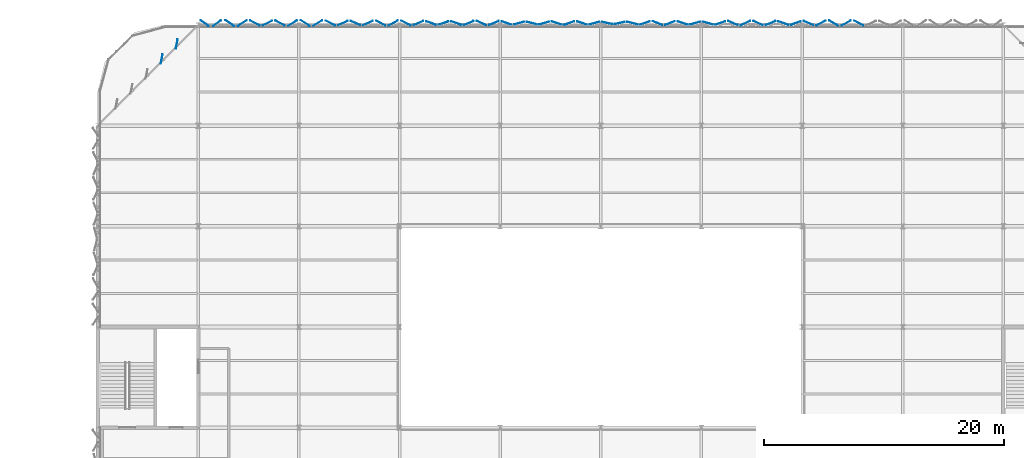
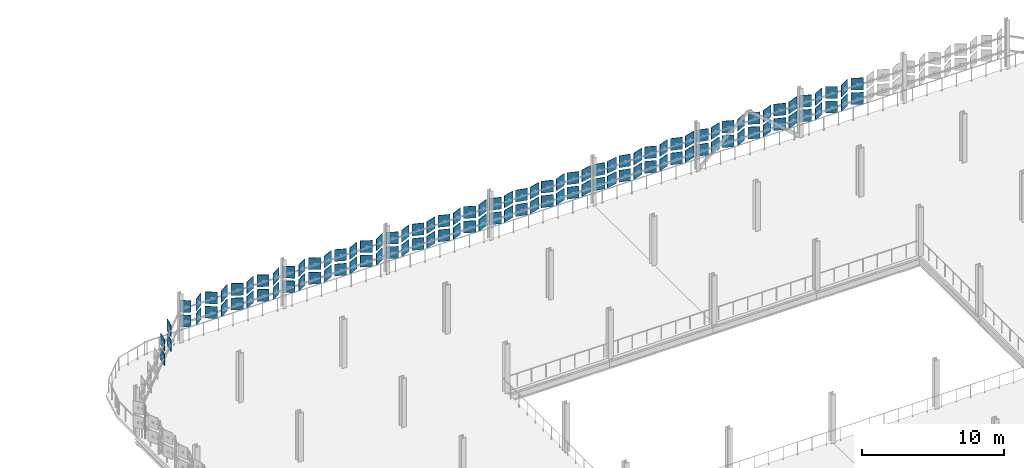
# One storey, part 123 of 163: 110 plates.
"""IFC4 building model written with IfcOpenShell, lengths in metres."""

from ifc_helpers import new_model, si_unit, direction, frame, origin, origin_2d, place, context, subcontext, project, spatial, rectangle, extrude, material, layer, layer_set, type_object, element, save


model = new_model("IFC4")

# Units and contexts
model_context = context("Model", 3, precision=1e-05, world=origin(), true_north=direction((0.0, 1.0)))
body_context = subcontext(model_context, "Body", "Model", "MODEL_VIEW")
ifc_project = project(units=[si_unit("LENGTHUNIT", "METRE"), si_unit("AREAUNIT", "SQUARE_METRE"), si_unit("VOLUMEUNIT", "CUBIC_METRE"), si_unit("PLANEANGLEUNIT", "RADIAN"), si_unit("MASSUNIT", "GRAM", prefix="KILO")], contexts=[model_context])

# Site, building, storey
site_placement = place(None, origin())
site = spatial("IfcSite", under=ifc_project, at=site_placement, CompositionType="ELEMENT")
building_placement = place(site_placement, origin())
building = spatial("IfcBuilding", under=site, at=building_placement, Name="Qalvenar Corner Mobility Hub", CompositionType="ELEMENT")
storey_placement = place(building_placement, frame((0.0, 0.0, 4.800048828125)))
storey = spatial("IfcBuildingStorey", under=building, at=storey_placement, Name="L01", CompositionType="ELEMENT", Elevation=4.800048828125)

# Plates
ifc_material = material(Name="Terracotta-Ochre Anodised Aluminium", Category="masonry")
ifc_layer_1 = layer(ifc_material, 0.035888671875)
ifc_layer_set_1 = layer_set([ifc_layer_1], Name="Terracotta-Ochre Anodised Aluminium")
plate_type_1 = type_object("IfcPlateType", Name="PLT-XC-L1-CRN", PredefinedType="SHEET", material=ifc_layer_set_1)
for number, where, z_axis, x_axis, name in (
    (1, (68.77490234375, 117.760009765625, 0.989990234375), (0.0, 0.0, 1.0), (-0.819152044289, -0.573576436351, 0.0), "Hinged Facade Panel FP-L01-0253"),
    (2, (68.77490234375, 117.760009765625, 2.239990234375), (0.0, 0.0, 1.0), (-0.819152044289, -0.573576436351, 0.0), "Hinged Facade Panel FP-L01-0254"),
    (3, (67.72509765625, 117.760009765625, 0.989990234375), (0.0, 0.0, 1.0), (-0.819152044289, 0.573576436351, 0.0), "Hinged Facade Panel FP-L01-0255"),
    (4, (67.72509765625, 117.760009765625, 2.239990234375), (0.0, 0.0, 1.0), (-0.819152044289, 0.573576436351, 0.0), "Hinged Facade Panel FP-L01-0256"),
    (5, (65.406982421875, 116.033203125, 0.989990234375), (0.0, 0.0, 1.0), (-0.190808995377, -0.981627183448, 0.0), "Corner Hinged Panel FPC-L01-0351"),
    (6, (64.14697265625, 114.773193359375, 0.989990234375), (0.0, 0.0, 1.0), (-0.190808995377, -0.981627183448, 0.0), "Corner Hinged Panel FPC-L01-0352"),
    (7, (65.406982421875, 116.033203125, 2.239990234375), (0.0, 0.0, 1.0), (-0.190808995377, -0.981627183448, 0.0), "Corner Hinged Panel FPC-L01-0356"),
    (8, (64.14697265625, 114.773193359375, 2.239990234375), (0.0, 0.0, 1.0), (-0.190808995377, -0.981627183448, 0.0), "Corner Hinged Panel FPC-L01-0357"),
):
    element("IfcPlate", number, at=place(storey_placement, frame(where, z_axis=z_axis, x_axis=x_axis)), inside=storey, type_object=plate_type_1, Name=name, PredefinedType="SHEET", context=body_context, shape_type="SweptSolid", body=[
        extrude(rectangle(XDim=0.800048828125, YDim=0.035888671875, at=origin_2d()), origin(), (0.0, 0.0, 1.0), 1.02001953125),
    ])
ifc_layer_2 = layer(ifc_material, 0.033935546875)
ifc_layer_set_2 = layer_set([ifc_layer_2], Name="Terracotta-Ochre Anodised Aluminium")
plate_type_2 = type_object("IfcPlateType", Name="PLT-XC-L1-STD", PredefinedType="SHEET", material=ifc_layer_set_2)
for number, where, z_axis, x_axis, name in (
    (9, (122.324951171875, 117.760009765625, 0.989990234375), (0.0, 0.0, 1.0), (-0.892113171267, 0.451812006981, 0.0), "Hinged Facade Panel FP-L01-0151"),
    (10, (122.324951171875, 117.760009765625, 2.239990234375), (0.0, 0.0, 1.0), (-0.892113171267, 0.451812006981, 0.0), "Hinged Facade Panel FP-L01-0152"),
    (11, (121.27490234375, 117.760009765625, 0.989990234375), (0.0, 0.0, 1.0), (-0.870699260309, -0.49181581725, 0.0), "Hinged Facade Panel FP-L01-0153"),
    (12, (121.27490234375, 117.760009765625, 2.239990234375), (0.0, 0.0, 1.0), (-0.870699260309, -0.49181581725, 0.0), "Hinged Facade Panel FP-L01-0154"),
    (13, (120.22509765625, 117.760009765625, 0.989990234375), (0.0, 0.0, 1.0), (-0.867591923867, 0.49727683803, 0.0), "Hinged Facade Panel FP-L01-0155"),
    (14, (120.22509765625, 117.760009765625, 2.239990234375), (0.0, 0.0, 1.0), (-0.867591923867, 0.49727683803, 0.0), "Hinged Facade Panel FP-L01-0156"),
    (15, (119.175048828125, 117.760009765625, 0.989990234375), (0.0, 0.0, 1.0), (-0.889416373291, -0.457097927059, 0.0), "Hinged Facade Panel FP-L01-0157"),
    (16, (119.175048828125, 117.760009765625, 2.239990234375), (0.0, 0.0, 1.0), (-0.889416373291, -0.457097927059, 0.0), "Hinged Facade Panel FP-L01-0158"),
    (17, (118.125, 117.760009765625, 0.989990234375), (0.0, 0.0, 1.0), (-0.919821497322, 0.392337116604, 0.0), "Hinged Facade Panel FP-L01-0159"),
    (18, (118.125, 117.760009765625, 2.239990234375), (0.0, 0.0, 1.0), (-0.919821497322, 0.392337116604, 0.0), "Hinged Facade Panel FP-L01-0160"),
    (19, (117.074951171875, 117.760009765625, 0.989990234375), (0.0, 0.0, 1.0), (-0.938793994893, -0.34447907796, 0.0), "Hinged Facade Panel FP-L01-0161"),
    (20, (117.074951171875, 117.760009765625, 2.239990234375), (0.0, 0.0, 1.0), (-0.938793994893, -0.34447907796, 0.0), "Hinged Facade Panel FP-L01-0162"),
    (21, (116.02490234375, 117.760009765625, 0.989990234375), (0.0, 0.0, 1.0), (-0.938974235021, 0.343987479376, 0.0), "Hinged Facade Panel FP-L01-0163"),
    (22, (116.02490234375, 117.760009765625, 2.239990234375), (0.0, 0.0, 1.0), (-0.938974235021, 0.343987479376, 0.0), "Hinged Facade Panel FP-L01-0164"),
    (23, (114.97509765625, 117.760009765625, 0.989990234375), (0.0, 0.0, 1.0), (-0.923545226472, -0.383489523534, 0.0), "Hinged Facade Panel FP-L01-0165"),
    (24, (114.97509765625, 117.760009765625, 2.239990234375), (0.0, 0.0, 1.0), (-0.923545226472, -0.383489523534, 0.0), "Hinged Facade Panel FP-L01-0166"),
    (25, (113.925048828125, 117.760009765625, 0.989990234375), (0.0, 0.0, 1.0), (-0.90534656459, 0.42467351929, 0.0), "Hinged Facade Panel FP-L01-0167"),
    (26, (113.925048828125, 117.760009765625, 2.239990234375), (0.0, 0.0, 1.0), (-0.90534656459, 0.42467351929, 0.0), "Hinged Facade Panel FP-L01-0168"),
    (27, (112.875, 117.760009765625, 0.989990234375), (0.0, 0.0, 1.0), (-0.903035619536, -0.429565675827, 0.0), "Hinged Facade Panel FP-L01-0169"),
    (28, (112.875, 117.760009765625, 2.239990234375), (0.0, 0.0, 1.0), (-0.903035619536, -0.429565675827, 0.0), "Hinged Facade Panel FP-L01-0170"),
    (29, (111.824951171875, 117.760009765625, 0.989990234375), (0.0, 0.0, 1.0), (-0.92213346383, 0.386871910179, 0.0), "Hinged Facade Panel FP-L01-0171"),
    (30, (111.824951171875, 117.760009765625, 2.239990234375), (0.0, 0.0, 1.0), (-0.92213346383, 0.386871910179, 0.0), "Hinged Facade Panel FP-L01-0172"),
    (31, (110.77490234375, 117.760009765625, 0.989990234375), (0.0, 0.0, 1.0), (-0.947433876991, -0.319951634986, 0.0), "Hinged Facade Panel FP-L01-0173"),
    (32, (110.77490234375, 117.760009765625, 2.239990234375), (0.0, 0.0, 1.0), (-0.947433876991, -0.319951634986, 0.0), "Hinged Facade Panel FP-L01-0174"),
    (33, (109.72509765625, 117.760009765625, 0.989990234375), (0.0, 0.0, 1.0), (-0.962407846499, 0.271608425858, 0.0), "Hinged Facade Panel FP-L01-0175"),
    (34, (109.72509765625, 117.760009765625, 2.239990234375), (0.0, 0.0, 1.0), (-0.962407846499, 0.271608425858, 0.0), "Hinged Facade Panel FP-L01-0176"),
    (35, (108.675048828125, 117.760009765625, 0.989990234375), (0.0, 0.0, 1.0), (-0.962265500742, -0.272112304173, 0.0), "Hinged Facade Panel FP-L01-0177"),
    (36, (108.675048828125, 117.760009765625, 2.239990234375), (0.0, 0.0, 1.0), (-0.962265500742, -0.272112304173, 0.0), "Hinged Facade Panel FP-L01-0178"),
    (37, (107.625, 117.760009765625, 0.989990234375), (0.0, 0.0, 1.0), (-0.949753769132, 0.312998047948, 0.0), "Hinged Facade Panel FP-L01-0179"),
    (38, (107.625, 117.760009765625, 2.239990234375), (0.0, 0.0, 1.0), (-0.949753769132, 0.312998047948, 0.0), "Hinged Facade Panel FP-L01-0180"),
    (39, (106.574951171875, 117.760009765625, 0.989990234375), (0.0, 0.0, 1.0), (-0.934825676396, -0.355106962408, 0.0), "Hinged Facade Panel FP-L01-0181"),
    (40, (106.574951171875, 117.760009765625, 2.239990234375), (0.0, 0.0, 1.0), (-0.934825676396, -0.355106962408, 0.0), "Hinged Facade Panel FP-L01-0182"),
    (41, (105.52490234375, 117.760009765625, 0.989990234375), (0.0, 0.0, 1.0), (-0.933267336023, 0.359182515599, 0.0), "Hinged Facade Panel FP-L01-0183"),
    (42, (105.52490234375, 117.760009765625, 2.239990234375), (0.0, 0.0, 1.0), (-0.933267336023, 0.359182515599, 0.0), "Hinged Facade Panel FP-L01-0184"),
    (43, (104.47509765625, 117.760009765625, 0.989990234375), (0.0, 0.0, 1.0), (-0.949260941439, -0.314489530921, 0.0), "Hinged Facade Panel FP-L01-0185"),
    (44, (104.47509765625, 117.760009765625, 2.239990234375), (0.0, 0.0, 1.0), (-0.949260941439, -0.314489530921, 0.0), "Hinged Facade Panel FP-L01-0186"),
    (45, (103.425048828125, 117.760009765625, 0.989990234375), (0.0, 0.0, 1.0), (-0.969359662404, 0.245645771192, 0.0), "Hinged Facade Panel FP-L01-0187"),
    (46, (103.425048828125, 117.760009765625, 2.239990234375), (0.0, 0.0, 1.0), (-0.969359662404, 0.245645771192, 0.0), "Hinged Facade Panel FP-L01-0188"),
    (47, (102.375, 117.760009765625, 0.989990234375), (0.0, 0.0, 1.0), (-0.980374533385, -0.197144044521, 0.0), "Hinged Facade Panel FP-L01-0189"),
    (48, (102.375, 117.760009765625, 2.239990234375), (0.0, 0.0, 1.0), (-0.980374533385, -0.197144044521, 0.0), "Hinged Facade Panel FP-L01-0190"),
    (49, (101.324951171875, 117.760009765625, 0.989990234375), (0.0, 0.0, 1.0), (-0.980098312815, 0.198512712986, 0.0), "Hinged Facade Panel FP-L01-0191"),
    (50, (101.324951171875, 117.760009765625, 2.239990234375), (0.0, 0.0, 1.0), (-0.980098312815, 0.198512712986, 0.0), "Hinged Facade Panel FP-L01-0192"),
    (51, (100.27490234375, 117.760009765625, 0.989990234375), (0.0, 0.0, 1.0), (-0.967884912253, -0.251393708421, 0.0), "Hinged Facade Panel FP-L01-0193"),
    (52, (100.27490234375, 117.760009765625, 2.239990234375), (0.0, 0.0, 1.0), (-0.967884912253, -0.251393708421, 0.0), "Hinged Facade Panel FP-L01-0194"),
    (53, (99.22509765625, 117.760009765625, 0.989990234375), (0.0, 0.0, 1.0), (-0.949206038203, 0.314655203419, 0.0), "Hinged Facade Panel FP-L01-0195"),
    (54, (99.22509765625, 117.760009765625, 2.239990234375), (0.0, 0.0, 1.0), (-0.949206038203, 0.314655203419, 0.0), "Hinged Facade Panel FP-L01-0196"),
    (55, (98.175048828125, 117.760009765625, 0.989990234375), (0.0, 0.0, 1.0), (-0.94099895347, -0.338409470269, 0.0), "Hinged Facade Panel FP-L01-0197"),
    (56, (98.175048828125, 117.760009765625, 2.239990234375), (0.0, 0.0, 1.0), (-0.94099895347, -0.338409470269, 0.0), "Hinged Facade Panel FP-L01-0198"),
    (57, (97.125, 117.760009765625, 0.989990234375), (0.0, 0.0, 1.0), (-0.949589753555, 0.313495294931, 0.0), "Hinged Facade Panel FP-L01-0199"),
    (58, (97.125, 117.760009765625, 2.239990234375), (0.0, 0.0, 1.0), (-0.949589753555, 0.313495294931, 0.0), "Hinged Facade Panel FP-L01-0200"),
    (59, (96.074951171875, 117.760009765625, 0.989990234375), (0.0, 0.0, 1.0), (-0.964049041264, -0.265724379832, 0.0), "Hinged Facade Panel FP-L01-0201"),
    (60, (96.074951171875, 117.760009765625, 2.239990234375), (0.0, 0.0, 1.0), (-0.964049041264, -0.265724379832, 0.0), "Hinged Facade Panel FP-L01-0202"),
    (61, (95.02490234375, 117.760009765625, 0.989990234375), (0.0, 0.0, 1.0), (-0.970925750445, 0.239380841177, 0.0), "Hinged Facade Panel FP-L01-0203"),
    (62, (95.02490234375, 117.760009765625, 2.239990234375), (0.0, 0.0, 1.0), (-0.970925750445, 0.239380841177, 0.0), "Hinged Facade Panel FP-L01-0204"),
    (63, (93.97509765625, 117.760009765625, 0.989990234375), (0.0, 0.0, 1.0), (-0.964833216741, -0.262862823299, 0.0), "Hinged Facade Panel FP-L01-0205"),
    (64, (93.97509765625, 117.760009765625, 2.239990234375), (0.0, 0.0, 1.0), (-0.964833216741, -0.262862823299, 0.0), "Hinged Facade Panel FP-L01-0206"),
    (65, (92.925048828125, 117.760009765625, 0.989990234375), (0.0, 0.0, 1.0), (-0.945518575599, 0.325568154457, 0.0), "Hinged Facade Panel FP-L01-0207"),
    (66, (92.925048828125, 117.760009765625, 2.239990234375), (0.0, 0.0, 1.0), (-0.945518575599, 0.325568154457, 0.0), "Hinged Facade Panel FP-L01-0208"),
    (67, (91.875, 117.760009765625, 0.989990234375), (0.0, 0.0, 1.0), (-0.92213346383, -0.386871910179, 0.0), "Hinged Facade Panel FP-L01-0209"),
    (68, (91.875, 117.760009765625, 2.239990234375), (0.0, 0.0, 1.0), (-0.92213346383, -0.386871910179, 0.0), "Hinged Facade Panel FP-L01-0210"),
    (69, (90.824951171875, 117.760009765625, 0.989990234375), (0.0, 0.0, 1.0), (-0.912548886365, 0.408967639299, 0.0), "Hinged Facade Panel FP-L01-0211"),
    (70, (90.824951171875, 117.760009765625, 2.239990234375), (0.0, 0.0, 1.0), (-0.912548886365, 0.408967639299, 0.0), "Hinged Facade Panel FP-L01-0212"),
    (71, (89.77490234375, 117.760009765625, 0.989990234375), (0.0, 0.0, 1.0), (-0.923344305239, -0.383973038094, 0.0), "Hinged Facade Panel FP-L01-0213"),
    (72, (89.77490234375, 117.760009765625, 2.239990234375), (0.0, 0.0, 1.0), (-0.923344305239, -0.383973038094, 0.0), "Hinged Facade Panel FP-L01-0214"),
    (73, (88.72509765625, 117.760009765625, 0.989990234375), (0.0, 0.0, 1.0), (-0.941293913101, 0.337588165017, 0.0), "Hinged Facade Panel FP-L01-0215"),
    (74, (88.72509765625, 117.760009765625, 2.239990234375), (0.0, 0.0, 1.0), (-0.941293913101, 0.337588165017, 0.0), "Hinged Facade Panel FP-L01-0216"),
    (75, (87.675048828125, 117.760009765625, 0.989990234375), (0.0, 0.0, 1.0), (-0.949917524329, -0.312500715155, 0.0), "Hinged Facade Panel FP-L01-0217"),
    (76, (87.675048828125, 117.760009765625, 2.239990234375), (0.0, 0.0, 1.0), (-0.949917524329, -0.312500715155, 0.0), "Hinged Facade Panel FP-L01-0218"),
    (77, (86.625, 117.760009765625, 0.989990234375), (0.0, 0.0, 1.0), (-0.941705652248, 0.336437905896, 0.0), "Hinged Facade Panel FP-L01-0219"),
    (78, (86.625, 117.760009765625, 2.239990234375), (0.0, 0.0, 1.0), (-0.941705652248, 0.336437905896, 0.0), "Hinged Facade Panel FP-L01-0220"),
    (79, (85.574951171875, 117.760009765625, 0.989990234375), (0.0, 0.0, 1.0), (-0.917407699357, -0.397948631308, 0.0), "Hinged Facade Panel FP-L01-0221"),
    (80, (85.574951171875, 117.760009765625, 2.239990234375), (0.0, 0.0, 1.0), (-0.917407699357, -0.397948631308, 0.0), "Hinged Facade Panel FP-L01-0222"),
    (81, (84.52490234375, 117.760009765625, 0.989990234375), (0.0, 0.0, 1.0), (-0.889575876378, 0.456787434334, 0.0), "Hinged Facade Panel FP-L01-0223"),
    (82, (84.52490234375, 117.760009765625, 2.239990234375), (0.0, 0.0, 1.0), (-0.889575876378, 0.456787434334, 0.0), "Hinged Facade Panel FP-L01-0224"),
    (83, (83.47509765625, 117.760009765625, 0.989990234375), (0.0, 0.0, 1.0), (-0.878817112662, -0.47715876026, 0.0), "Hinged Facade Panel FP-L01-0225"),
    (84, (83.47509765625, 117.760009765625, 2.239990234375), (0.0, 0.0, 1.0), (-0.878817112662, -0.47715876026, 0.0), "Hinged Facade Panel FP-L01-0226"),
    (85, (82.425048828125, 117.760009765625, 0.989990234375), (0.0, 0.0, 1.0), (-0.891797529605, 0.452434709312, 0.0), "Hinged Facade Panel FP-L01-0227"),
    (86, (82.425048828125, 117.760009765625, 2.239990234375), (0.0, 0.0, 1.0), (-0.891797529605, 0.452434709312, 0.0), "Hinged Facade Panel FP-L01-0228"),
    (87, (81.375, 117.760009765625, 0.989990234375), (0.0, 0.0, 1.0), (-0.913261279296, -0.407374318949, 0.0), "Hinged Facade Panel FP-L01-0229"),
    (88, (81.375, 117.760009765625, 2.239990234375), (0.0, 0.0, 1.0), (-0.913261279296, -0.407374318949, 0.0), "Hinged Facade Panel FP-L01-0230"),
    (89, (80.324951171875, 117.760009765625, 0.989990234375), (0.0, 0.0, 1.0), (-0.923344305239, 0.383973038094, 0.0), "Hinged Facade Panel FP-L01-0231"),
    (90, (80.324951171875, 117.760009765625, 2.239990234375), (0.0, 0.0, 1.0), (-0.923344305239, 0.383973038094, 0.0), "Hinged Facade Panel FP-L01-0232"),
    (91, (79.27490234375, 117.760009765625, 0.989990234375), (0.0, 0.0, 1.0), (-0.912976655837, -0.408011796273, 0.0), "Hinged Facade Panel FP-L01-0233"),
    (92, (79.27490234375, 117.760009765625, 2.239990234375), (0.0, 0.0, 1.0), (-0.912976655837, -0.408011796273, 0.0), "Hinged Facade Panel FP-L01-0234"),
    (93, (78.22509765625, 117.760009765625, 0.989990234375), (0.0, 0.0, 1.0), (-0.883847285787, 0.467775560934, 0.0), "Hinged Facade Panel FP-L01-0235"),
    (94, (78.22509765625, 117.760009765625, 2.239990234375), (0.0, 0.0, 1.0), (-0.883847285787, 0.467775560934, 0.0), "Hinged Facade Panel FP-L01-0236"),
    (95, (77.175048828125, 117.760009765625, 0.989990234375), (0.0, 0.0, 1.0), (-0.851818373963, -0.523837243597, 0.0), "Hinged Facade Panel FP-L01-0237"),
    (96, (77.175048828125, 117.760009765625, 2.239990234375), (0.0, 0.0, 1.0), (-0.851818373963, -0.523837243597, 0.0), "Hinged Facade Panel FP-L01-0238"),
    (97, (76.125, 117.760009765625, 0.989990234375), (0.0, 0.0, 1.0), (-0.839998867196, 0.542588152386, 0.0), "Hinged Facade Panel FP-L01-0239"),
    (98, (76.125, 117.760009765625, 2.239990234375), (0.0, 0.0, 1.0), (-0.839998867196, 0.542588152386, 0.0), "Hinged Facade Panel FP-L01-0240"),
    (99, (75.074951171875, 117.760009765625, 0.989990234375), (0.0, 0.0, 1.0), (-0.855273834364, -0.518176290709, 0.0), "Hinged Facade Panel FP-L01-0241"),
    (100, (75.074951171875, 117.760009765625, 2.239990234375), (0.0, 0.0, 1.0), (-0.855273834364, -0.518176290709, 0.0), "Hinged Facade Panel FP-L01-0242"),
    (101, (74.02490234375, 117.760009765625, 0.989990234375), (0.0, 0.0, 1.0), (-0.879980406813, 0.475009982659, 0.0), "Hinged Facade Panel FP-L01-0243"),
    (102, (74.02490234375, 117.760009765625, 2.239990234375), (0.0, 0.0, 1.0), (-0.879980406813, 0.475009982659, 0.0), "Hinged Facade Panel FP-L01-0244"),
    (103, (72.97509765625, 117.760009765625, 0.989990234375), (0.0, 0.0, 1.0), (-0.891481453292, -0.453057191132, 0.0), "Hinged Facade Panel FP-L01-0245"),
    (104, (72.97509765625, 117.760009765625, 2.239990234375), (0.0, 0.0, 1.0), (-0.891481453292, -0.453057191132, 0.0), "Hinged Facade Panel FP-L01-0246"),
    (105, (71.925048828125, 117.760009765625, 0.989990234375), (0.0, 0.0, 1.0), (-0.878817112662, 0.47715876026, 0.0), "Hinged Facade Panel FP-L01-0247"),
    (106, (71.925048828125, 117.760009765625, 2.239990234375), (0.0, 0.0, 1.0), (-0.878817112662, 0.47715876026, 0.0), "Hinged Facade Panel FP-L01-0248"),
    (107, (70.875, 117.760009765625, 0.989990234375), (0.0, 0.0, 1.0), (-0.844981931132, -0.534794854183, 0.0), "Hinged Facade Panel FP-L01-0249"),
    (108, (70.875, 117.760009765625, 2.239990234375), (0.0, 0.0, 1.0), (-0.844981931132, -0.534794854183, 0.0), "Hinged Facade Panel FP-L01-0250"),
    (109, (69.824951171875, 117.760009765625, 0.989990234375), (0.0, 0.0, 1.0), (-0.819152044289, 0.573576436351, 0.0), "Hinged Facade Panel FP-L01-0251"),
    (110, (69.824951171875, 117.760009765625, 2.239990234375), (0.0, 0.0, 1.0), (-0.819152044289, 0.573576436351, 0.0), "Hinged Facade Panel FP-L01-0252"),
):
    element("IfcPlate", number, at=place(storey_placement, frame(where, z_axis=z_axis, x_axis=x_axis)), inside=storey, type_object=plate_type_2, Name=name, PredefinedType="SHEET", context=body_context, shape_type="SweptSolid", body=[
        extrude(rectangle(XDim=0.860107421875, YDim=0.033935546875, at=origin_2d()), origin(), (0.0, 0.0, 1.0), 1.02001953125),
    ])

save(model, "model.ifc")
